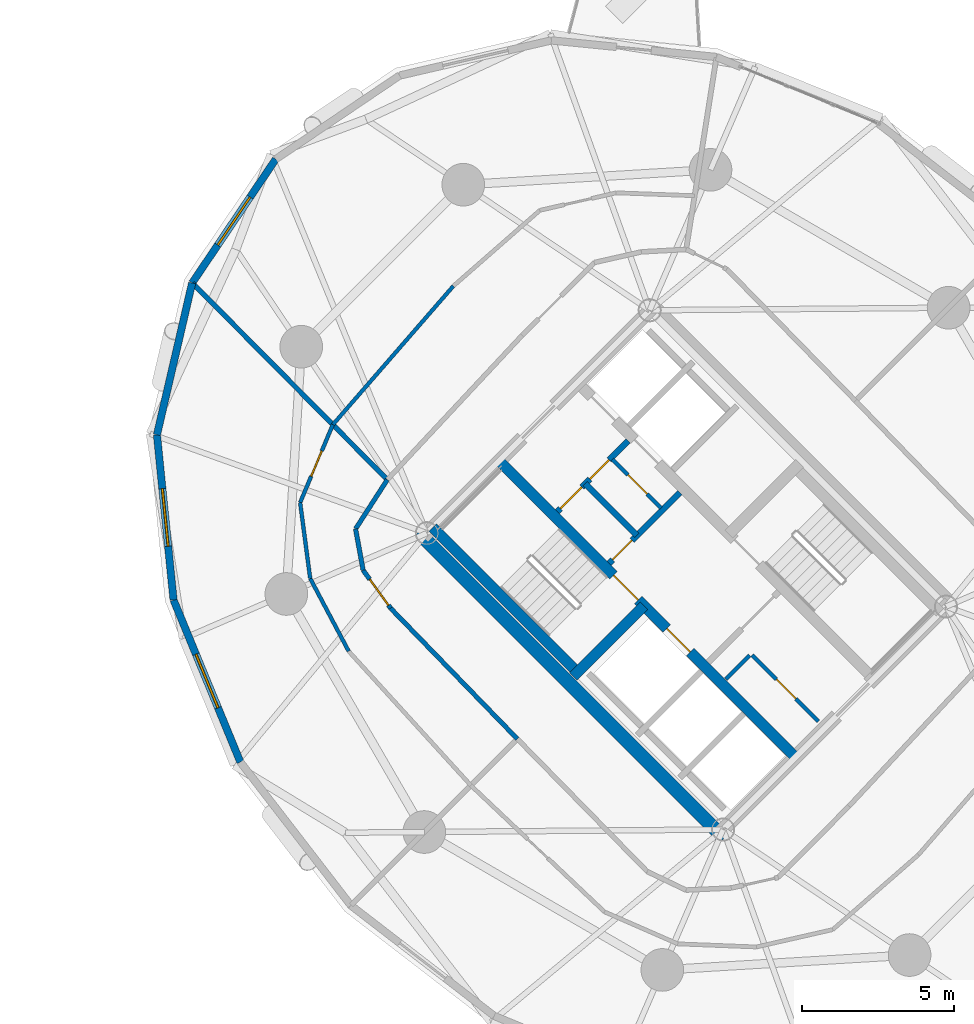
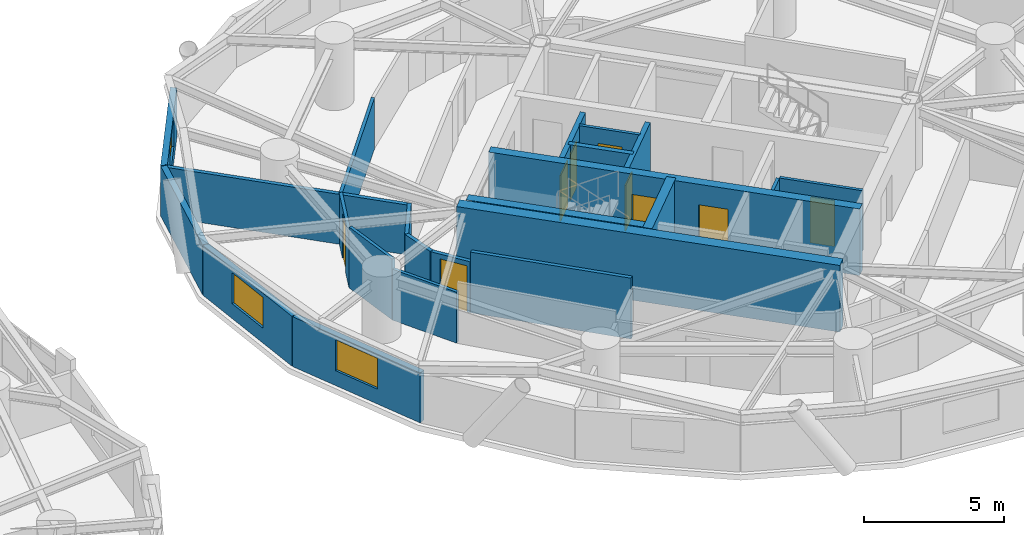
# One storey, part 12 of 18: 23 walls, 9 doors, 3 windows, 12 openings.
"""IFC4 building model written with IfcOpenShell, lengths in metres."""

from ifc_helpers import new_model, si_unit, direction, frame, frame_2d, origin, place, context, subcontext, project, spatial, rectangle, extrude, source, transform, mapped, material, layer, layer_set, type_object, element, fill, save


model = new_model("IFC4")

# Units and contexts
model_context = context("Model", 3, precision=1e-05, world=origin(), true_north=direction((0.0, 1.0)))
body_context = subcontext(model_context, "Body", "Model", "MODEL_VIEW")
ifc_project = project(units=[si_unit("LENGTHUNIT", "METRE"), si_unit("AREAUNIT", "SQUARE_METRE"), si_unit("VOLUMEUNIT", "CUBIC_METRE"), si_unit("PLANEANGLEUNIT", "RADIAN"), si_unit("MASSUNIT", "GRAM", prefix="KILO")], contexts=[model_context])

# Site, building, storey
site_placement = place(None, origin())
site = spatial("IfcSite", under=ifc_project, at=site_placement, CompositionType="ELEMENT")
building_placement = place(site_placement, origin())
building = spatial("IfcBuilding", under=site, at=building_placement, Name="Cununo Teusaquillo Station Towers", CompositionType="ELEMENT")
storey_placement = place(building_placement, frame((0.0, 0.0, 87.610107421875)))
storey = spatial("IfcBuildingStorey", under=building, at=storey_placement, Name="L27", CompositionType="ELEMENT", Elevation=87.610107421875)

# Wall, openings, doors
ifc_material_1 = material(Name="Concrete C50/60", Category="concrete")
ifc_layer_1 = layer(ifc_material_1, 0.35009765625)
ifc_layer_set_1 = layer_set([ifc_layer_1], Name="Concrete C50/60")
wall_type_1 = type_object("IfcWallType", Name="WL-CORE-350", PredefinedType="SHEAR", material=ifc_layer_set_1)
wall_1_placement = place(storey_placement, frame((61.077880859375, 18.355224609375, 0.0), z_axis=(0.0, 0.0, 1.0), x_axis=(-0.707106781187, 0.707106781187, 0.0)))
wall_1 = element("IfcWall", 1, at=wall_1_placement, inside=storey, type_object=wall_type_1, Name="L27 Tower B Core Shear Wall IW", PredefinedType="SHEAR", context=body_context, shape_type="SweptSolid", body=[
    extrude(rectangle(XDim=13.75, YDim=0.35009765625, at=frame_2d((6.875, 0.0))), origin(), (0.0, 0.0, 1.0), 2.909912109375),
])
shared_shape_1 = source(origin(), body_context, "Body", "SweptSolid", [
    extrude(rectangle(XDim=1.10009765625, YDim=2.014892578125, at=frame_2d((0.550048828125, 1.00732421875))), frame((0.0, 0.18505859375, 0.0), z_axis=(0.0, -1.0, 0.0), x_axis=(1.0, 0.0, 0.0)), (0.0, 0.0, 1.0), 0.3701171875),
])
opening_1_placement = place(wall_1_placement, frame((4.875, 0.0, 0.0)))
opening_1 = element("IfcOpeningElement", 2, at=opening_1_placement, cuts=wall_1, Name="Opening LD-01", PredefinedType="OPENING", context=body_context, shape_type="MappedRepresentation", body=[
    mapped(shared_shape_1, transform((0.0, 0.0, 0.0), x_axis=(1.0, 0.0, 0.0), y_axis=(0.0, 1.0, 0.0), z_axis=(0.0, 0.0, 1.0), scale=1.0)),
])
shared_shape_2 = source(origin(), body_context, "Body", "SweptSolid", [
    extrude(rectangle(XDim=1.14990234375, YDim=2.02001953125, at=frame_2d((0.574951171875, 1.010009765625))), frame((0.0, 0.18505859375, 0.0), z_axis=(0.0, -1.0, 0.0), x_axis=(1.0, 0.0, 0.0)), (0.0, 0.0, 1.0), 0.3701171875),
])
opening_2_placement = place(wall_1_placement, frame((7.294921875, 0.0, 0.0)))
opening_2 = element("IfcOpeningElement", 3, at=opening_2_placement, cuts=wall_1, Name="Opening D-ST1", PredefinedType="OPENING", context=body_context, shape_type="MappedRepresentation", body=[
    mapped(shared_shape_2, transform((0.0, 0.0, 0.0), x_axis=(1.0, 0.0, 0.0), y_axis=(0.0, 1.0, 0.0), z_axis=(0.0, 0.0, 1.0), scale=1.0)),
])
ifc_material_2 = material(Name="Galvanised fire-rated hollow steel door assembly", Category="steel")
door_type_1 = type_object("IfcDoorType", Name="DR-LIFT-1100", OperationType="SLIDING_TO_LEFT", PredefinedType="DOOR", material=ifc_material_2)
shared_shape_3 = source(origin(), body_context, "Body", "SweptSolid", [
    extrude(rectangle(XDim=1.10009765625, YDim=2.014892578125, at=frame_2d((0.550048828125, 1.00732421875))), frame((0.0, 0.02490234375, 0.0), z_axis=(0.0, -1.0, 0.0), x_axis=(1.0, 0.0, 0.0)), (0.0, 0.0, 1.0), 0.050048828125),
])
door_1_placement = place(opening_1_placement, origin())
door_1 = element("IfcDoor", 4, at=door_1_placement, inside=storey, type_object=door_type_1, Name="L27 Lift FL-T2 Sliding Landing Door", OperationType="SLIDING_TO_LEFT", OverallHeight=2.014892578125, OverallWidth=1.10009765625, PredefinedType="DOOR", context=body_context, shape_type="MappedRepresentation", body=[
    mapped(shared_shape_3, transform((0.0, 0.0, 0.0), x_axis=(1.0, 0.0, 0.0), y_axis=(0.0, 1.0, 0.0), z_axis=(0.0, 0.0, 1.0), scale=1.0)),
])
fill(opening_1, door_1)
ifc_material_3 = material(Name="Galvanised fire-rated hollow steel door assembly", Category="steel")
door_type_2 = type_object("IfcDoorType", Name="DR-STAIR-1150", OperationType="NOTDEFINED", PredefinedType="DOOR", material=ifc_material_3)
shared_shape_4 = source(origin(), body_context, "Body", "SweptSolid", [
    extrude(rectangle(XDim=1.14990234375, YDim=2.02001953125, at=frame_2d((0.574951171875, 1.010009765625))), frame((0.0, 0.02490234375, 0.0), z_axis=(0.0, -1.0, 0.0), x_axis=(1.0, 0.0, 0.0)), (0.0, 0.0, 1.0), 0.050048828125),
])
door_2_placement = place(opening_2_placement, origin())
door_2 = element("IfcDoor", 5, at=door_2_placement, inside=storey, type_object=door_type_2, Name="L27 Tower B Exit Stair 1 Fire Door", OperationType="SINGLE_SWING_LEFT", OverallHeight=2.02001953125, OverallWidth=1.14990234375, PredefinedType="DOOR", context=body_context, shape_type="MappedRepresentation", body=[
    mapped(shared_shape_4, transform((0.0, 0.0, 0.0), x_axis=(1.0, 0.0, 0.0), y_axis=(0.0, 1.0, 0.0), z_axis=(0.0, 0.0, 1.0), scale=1.0)),
])
fill(opening_2, door_2)

# Walls
wall_2_placement = place(storey_placement, frame((53.922119140625, 21.14111328125, 0.0), z_axis=(0.0, 0.0, 1.0), x_axis=(-0.707088616009, 0.707124945897, 0.0)))
element("IfcWall", 6, at=wall_2_placement, inside=storey, type_object=wall_type_1, Name="L27 Tower B Core Shear Wall ST1W", PredefinedType="SHEAR", context=body_context, shape_type="SweptSolid", body=[
    extrude(rectangle(XDim=6.72021484375, YDim=0.35009765625, at=frame_2d((3.360107421875, 0.0))), origin(), (0.0, 0.0, 1.0), 2.909912109375),
])
wall_3_placement = place(storey_placement, frame((53.7841796875, 21.00341796875, 0.0), z_axis=(0.0, 0.0, 1.0), x_axis=(0.707106781187, 0.707106781187, 0.0)))
element("IfcWall", 7, at=wall_3_placement, inside=storey, type_object=wall_type_1, Name="L27 Tower B Core Shear Wall ST1S", PredefinedType="SHEAR", context=body_context, shape_type="SweptSolid", body=[
    extrude(rectangle(XDim=3.284912109375, YDim=0.35009765625, at=frame_2d((1.642578125, 0.0))), origin(), (0.0, 0.0, 1.0), 2.909912109375),
])
ifc_material_4 = material(Name="Concrete C60/75", Category="concrete")
ifc_layer_2 = layer(ifc_material_4, 0.449951171875)
ifc_layer_set_2 = layer_set([ifc_layer_2], Name="Concrete C60/75")
wall_type_2 = type_object("IfcWallType", Name="WL-CORE-450", PredefinedType="SHEAR", material=ifc_layer_set_2)
wall_4_placement = place(storey_placement, frame((58.7373046875, 15.696533203125, 0.0), z_axis=(0.0, 0.0, 1.0), x_axis=(-0.707106781187, 0.707106781187, 0.0)))
element("IfcWall", 8, at=wall_4_placement, inside=storey, type_object=wall_type_2, Name="L27 Tower B Core Shear Wall W", PredefinedType="SHEAR", context=body_context, shape_type="SweptSolid", body=[
    extrude(rectangle(XDim=14.19970703125, YDim=0.449951171875, at=frame_2d((7.099853515625, 0.0))), origin(), (0.0, 0.0, 1.0), 2.909912109375),
])

# Wall, opening, window
ifc_material_5 = material(Name="Precast concrete C40/50", Category="concrete")
ifc_layer_3 = layer(ifc_material_5, 0.239990234375)
ifc_layer_set_3 = layer_set([ifc_layer_3], Name="Precast concrete C40/50")
wall_type_3 = type_object("IfcWallType", Name="WL-EXT-240", PredefinedType="SOLIDWALL", material=ifc_layer_set_3)
wall_5_placement = place(storey_placement, frame((41.27099609375, 33.919921875, 0.0), z_axis=(0.0, 0.0, 1.0), x_axis=(0.559572880421, 0.828781148131, 0.0)))
wall_5 = element("IfcWall", 9, at=wall_5_placement, inside=storey, type_object=wall_type_3, Name="L27 Tower B Exterior Facade Wall C05", PredefinedType="SOLIDWALL", context=body_context, shape_type="SweptSolid", body=[
    extrude(rectangle(XDim=4.904541015625, YDim=0.239990234375, at=frame_2d((2.4521484375, 0.0))), origin(), (0.0, 0.0, 1.0), 2.178955078125),
])
shared_shape_5 = source(origin(), body_context, "Body", "SweptSolid", [
    extrude(rectangle(XDim=1.89990234375, YDim=1.35009765625, at=frame_2d((0.949951171875, 0.675048828125))), frame((0.0, 0.1298828125, 0.0), z_axis=(0.0, -1.0, 0.0), x_axis=(1.0, 0.0, 0.0)), (0.0, 0.0, 1.0), 0.260009765625),
])
opening_3_placement = place(wall_5_placement, frame((1.501953125, 0.0, 0.64990234375)))
opening_3 = element("IfcOpeningElement", 10, at=opening_3_placement, cuts=wall_5, Name="Opening WN-02", PredefinedType="OPENING", context=body_context, shape_type="MappedRepresentation", body=[
    mapped(shared_shape_5, transform((0.0, 0.0, 0.0), x_axis=(1.0, 0.0, 0.0), y_axis=(0.0, 1.0, 0.0), z_axis=(0.0, 0.0, 1.0), scale=1.0)),
])
ifc_material_6 = material(Name="Operable acoustic tinted low-E double glazing", Category="glass")
window_type = type_object("IfcWindowType", Name="WIN-OPER-1900", PartitioningType="DOUBLE_PANEL_VERTICAL", PredefinedType="WINDOW", material=ifc_material_6)
shared_shape_6 = source(origin(), body_context, "Body", "SweptSolid", [
    extrude(rectangle(XDim=1.89990234375, YDim=1.35009765625, at=frame_2d((0.949951171875, 0.675048828125))), frame((0.0, 0.030029296875, 0.0), z_axis=(0.0, -1.0, 0.0), x_axis=(1.0, 0.0, 0.0)), (0.0, 0.0, 1.0), 0.06005859375),
])
window_1_placement = place(opening_3_placement, origin())
window_1 = element("IfcWindow", 11, at=window_1_placement, inside=storey, type_object=window_type, Name="L27 Tower B Facade Window C05", OverallHeight=1.35009765625, OverallWidth=1.89990234375, PartitioningType="DOUBLE_PANEL_VERTICAL", PredefinedType="WINDOW", context=body_context, shape_type="MappedRepresentation", body=[
    mapped(shared_shape_6, transform((0.0, 0.0, 0.0), x_axis=(1.0, 0.0, 0.0), y_axis=(0.0, 1.0, 0.0), z_axis=(0.0, 0.0, 1.0), scale=1.0)),
])
fill(opening_3, window_1)

# Wall
wall_6_placement = place(storey_placement, frame((40.114990234375, 28.933349609375, 0.0), z_axis=(0.0, 0.0, 1.0), x_axis=(0.225834725257, 0.974165631126, 0.0)))
element("IfcWall", 12, at=wall_6_placement, inside=storey, type_object=wall_type_3, Name="L27 Tower B Exterior Facade Wall C06", PredefinedType="SOLIDWALL", context=body_context, shape_type="SweptSolid", body=[
    extrude(rectangle(XDim=5.118896484375, YDim=0.239990234375, at=frame_2d((2.5595703125, 0.0))), origin(), (0.0, 0.0, 1.0), 2.178955078125),
])

# Wall, opening, window
wall_7_placement = place(storey_placement, frame((40.66064453125, 23.5126953125, 0.0), z_axis=(0.0, 0.0, 1.0), x_axis=(-0.10015591906, 0.994971754311, 0.0)))
wall_7 = element("IfcWall", 13, at=wall_7_placement, inside=storey, type_object=wall_type_3, Name="L27 Tower B Exterior Facade Wall C07", PredefinedType="SOLIDWALL", context=body_context, shape_type="SweptSolid", body=[
    extrude(rectangle(XDim=5.447998046875, YDim=0.239990234375, at=frame_2d((2.72412109375, 0.0))), origin(), (0.0, 0.0, 1.0), 2.178955078125),
])
opening_4_placement = place(wall_7_placement, frame((1.77392578125, 0.0, 0.64990234375)))
opening_4 = element("IfcOpeningElement", 14, at=opening_4_placement, cuts=wall_7, Name="Opening WN-02", PredefinedType="OPENING", context=body_context, shape_type="MappedRepresentation", body=[
    mapped(shared_shape_5, transform((0.0, 0.0, 0.0), x_axis=(1.0, 0.0, 0.0), y_axis=(0.0, 1.0, 0.0), z_axis=(0.0, 0.0, 1.0), scale=1.0)),
])
window_2_placement = place(opening_4_placement, origin())
window_2 = element("IfcWindow", 15, at=window_2_placement, inside=storey, type_object=window_type, Name="L27 Tower B Facade Window C07", OverallHeight=1.35009765625, OverallWidth=1.89990234375, PartitioningType="DOUBLE_PANEL_VERTICAL", PredefinedType="WINDOW", context=body_context, shape_type="MappedRepresentation", body=[
    mapped(shared_shape_6, transform((0.0, 0.0, 0.0), x_axis=(1.0, 0.0, 0.0), y_axis=(0.0, 1.0, 0.0), z_axis=(0.0, 0.0, 1.0), scale=1.0)),
])
fill(opening_4, window_2)

wall_8_placement = place(storey_placement, frame((42.854736328125, 18.188720703125, 0.0), z_axis=(0.0, 0.0, 1.0), x_axis=(-0.381027003055, 0.924563909604, 0.0)))
wall_8 = element("IfcWall", 16, at=wall_8_placement, inside=storey, type_object=wall_type_3, Name="L27 Tower B Exterior Facade Wall C08", PredefinedType="SOLIDWALL", context=body_context, shape_type="SweptSolid", body=[
    extrude(rectangle(XDim=5.75830078125, YDim=0.239990234375, at=frame_2d((2.879150390625, 0.0))), origin(), (0.0, 0.0, 1.0), 2.178955078125),
])
opening_5_placement = place(wall_8_placement, frame((1.928955078125, 0.0, 0.64990234375)))
opening_5 = element("IfcOpeningElement", 17, at=opening_5_placement, cuts=wall_8, Name="Opening WN-02", PredefinedType="OPENING", context=body_context, shape_type="MappedRepresentation", body=[
    mapped(shared_shape_5, transform((0.0, 0.0, 0.0), x_axis=(1.0, 0.0, 0.0), y_axis=(0.0, 1.0, 0.0), z_axis=(0.0, 0.0, 1.0), scale=1.0)),
])
window_3_placement = place(opening_5_placement, origin())
window_3 = element("IfcWindow", 18, at=window_3_placement, inside=storey, type_object=window_type, Name="L27 Tower B Facade Window C08", OverallHeight=1.35009765625, OverallWidth=1.89990234375, PartitioningType="DOUBLE_PANEL_VERTICAL", PredefinedType="WINDOW", context=body_context, shape_type="MappedRepresentation", body=[
    mapped(shared_shape_6, transform((0.0, 0.0, 0.0), x_axis=(1.0, 0.0, 0.0), y_axis=(0.0, 1.0, 0.0), z_axis=(0.0, 0.0, 1.0), scale=1.0)),
])
fill(opening_5, window_3)

# Wall, opening, door
ifc_material_7 = material(Name="Fire-rated gypsum plasterboard partition assembly", Category="gypsum")
ifc_layer_4 = layer(ifc_material_7, 0.125)
ifc_layer_set_4 = layer_set([ifc_layer_4], Name="Fire-rated gypsum plasterboard partition assembly")
wall_type_4 = type_object("IfcWallType", Name="WL-PART-125", PredefinedType="PARTITIONING", material=ifc_layer_set_4)
wall_9_placement = place(storey_placement, frame((61.834716796875, 19.529052734375, 0.0), z_axis=(0.0, 0.0, 1.0), x_axis=(-0.707146413884, 0.707067146267, 0.0)))
wall_9 = element("IfcWall", 19, at=wall_9_placement, inside=storey, type_object=wall_type_4, Name="L27 Tower B South-West Tall Store East Wall", PredefinedType="PARTITIONING", context=body_context, shape_type="SweptSolid", body=[
    extrude(rectangle(XDim=3.079833984375, YDim=0.125, at=frame_2d((1.5400390625, 0.0))), origin(), (0.0, 0.0, 1.0), 2.65478515625),
])
shared_shape_7 = source(origin(), body_context, "Body", "SweptSolid", [
    extrude(rectangle(XDim=0.89990234375, YDim=2.0048828125, at=frame_2d((0.449951171875, 1.00244140625))), frame((0.0, 0.072509765625, 0.0), z_axis=(0.0, -1.0, 0.0), x_axis=(1.0, 0.0, 0.0)), (0.0, 0.0, 1.0), 0.14501953125),
])
opening_6_placement = place(wall_9_placement, frame((1.050048828125, 0.0, 0.0)))
opening_6 = element("IfcOpeningElement", 20, at=opening_6_placement, cuts=wall_9, Name="Opening D-SR1", PredefinedType="OPENING", context=body_context, shape_type="MappedRepresentation", body=[
    mapped(shared_shape_7, transform((0.0, 0.0, 0.0), x_axis=(1.0, 0.0, 0.0), y_axis=(0.0, 1.0, 0.0), z_axis=(0.0, 0.0, 1.0), scale=1.0)),
])
ifc_material_8 = material(Name="Galvanised fire-rated hollow steel door assembly", Category="steel")
door_type_3 = type_object("IfcDoorType", Name="DR-STORE-900", OperationType="NOTDEFINED", PredefinedType="DOOR", material=ifc_material_8)
shared_shape_8 = source(origin(), body_context, "Body", "SweptSolid", [
    extrude(rectangle(XDim=0.89990234375, YDim=2.0048828125, at=frame_2d((0.449951171875, 1.00244140625))), frame((0.0, 0.02490234375, 0.0), z_axis=(0.0, -1.0, 0.0), x_axis=(1.0, 0.0, 0.0)), (0.0, 0.0, 1.0), 0.050048828125),
])
door_3_placement = place(opening_6_placement, origin())
door_3 = element("IfcDoor", 21, at=door_3_placement, inside=storey, type_object=door_type_3, Name="L27 Tower B South Cleaners Store Door", OperationType="SINGLE_SWING_LEFT", OverallHeight=2.0048828125, OverallWidth=0.89990234375, PredefinedType="DOOR", context=body_context, shape_type="MappedRepresentation", body=[
    mapped(shared_shape_8, transform((0.0, 0.0, 0.0), x_axis=(1.0, 0.0, 0.0), y_axis=(0.0, 1.0, 0.0), z_axis=(0.0, 0.0, 1.0), scale=1.0)),
])
fill(opening_6, door_3)

# Wall
wall_10_placement = place(storey_placement, frame((58.7939453125, 20.9150390625, 0.0), z_axis=(0.0, 0.0, 1.0), x_axis=(0.707106781187, 0.707106781187, 0.0)))
element("IfcWall", 22, at=wall_10_placement, inside=storey, type_object=wall_type_4, Name="L27 Tower B South-West Tall Store North Wall", PredefinedType="PARTITIONING", context=body_context, shape_type="SweptSolid", body=[
    extrude(rectangle(XDim=1.10009765625, YDim=0.125, at=frame_2d((0.550048828125, 0.0))), origin(), (0.0, 0.0, 1.0), 2.65478515625),
])

# Wall, opening, door
wall_11_placement = place(storey_placement, frame((56.672607421875, 26.529296875, 0.0), z_axis=(0.0, 0.0, 1.0), x_axis=(-0.707052764397, 0.70716079385, 0.0)))
wall_11 = element("IfcWall", 23, at=wall_11_placement, inside=storey, type_object=wall_type_4, Name="L27 Tower B Core Vertical Split Wall", PredefinedType="PARTITIONING", context=body_context, shape_type="SweptSolid", body=[
    extrude(rectangle(XDim=2.260009765625, YDim=0.125, at=frame_2d((1.1298828125, 0.0))), origin(), (0.0, 0.0, 1.0), 2.65478515625),
])
opening_7_placement = place(wall_11_placement, frame((0.64990234375, 0.0, 0.0)))
opening_7 = element("IfcOpeningElement", 24, at=opening_7_placement, cuts=wall_11, Name="Opening D-SR1", PredefinedType="OPENING", context=body_context, shape_type="MappedRepresentation", body=[
    mapped(shared_shape_7, transform((0.0, 0.0, 0.0), x_axis=(1.0, 0.0, 0.0), y_axis=(0.0, 1.0, 0.0), z_axis=(0.0, 0.0, 1.0), scale=1.0)),
])
door_4_placement = place(opening_7_placement, origin())
door_4 = element("IfcDoor", 25, at=door_4_placement, inside=storey, type_object=door_type_3, Name="L27 Tower B Core Electrical Room Door", OperationType="SINGLE_SWING_LEFT", OverallHeight=2.0048828125, OverallWidth=0.89990234375, PredefinedType="DOOR", context=body_context, shape_type="MappedRepresentation", body=[
    mapped(shared_shape_8, transform((0.0, 0.0, 0.0), x_axis=(1.0, 0.0, 0.0), y_axis=(0.0, 1.0, 0.0), z_axis=(0.0, 0.0, 1.0), scale=1.0)),
])
fill(opening_7, door_4)

# Wall
wall_12_placement = place(storey_placement, frame((49.845458984375, 33.817138671875, 0.0), z_axis=(0.0, 0.0, 1.0), x_axis=(-0.656101508867, -0.754672650931, 0.0)))
element("IfcWall", 26, at=wall_12_placement, inside=storey, type_object=wall_type_4, Name="L27 Tower B Parametric Prototyping Lab Concentric Partition Wall C05", PredefinedType="PARTITIONING", context=body_context, shape_type="SweptSolid", body=[
    extrude(rectangle(XDim=6.028564453125, YDim=0.125, at=frame_2d((3.01416015625, 0.0))), origin(), (0.0, 0.0, 1.0), 2.224853515625),
])

# Wall, opening, door
wall_13_placement = place(storey_placement, frame((45.89013671875, 29.267578125, 0.0), z_axis=(0.0, 0.0, 1.0), x_axis=(-0.387057419757, -0.922055613188, 0.0)))
wall_13 = element("IfcWall", 27, at=wall_13_placement, inside=storey, type_object=wall_type_4, Name="L27 Tower B Client Demo Briefing Gallery Concentric Partition Wall C06", PredefinedType="PARTITIONING", context=body_context, shape_type="SweptSolid", body=[
    extrude(rectangle(XDim=2.774169921875, YDim=0.125, at=frame_2d((1.38720703125, 0.0))), origin(), (0.0, 0.0, 1.0), 2.224853515625),
])
opening_8_placement = place(wall_13_placement, frame((0.93701171875, 0.0, 0.0)))
opening_8 = element("IfcOpeningElement", 28, at=opening_8_placement, cuts=wall_13, Name="Opening D-IN1", PredefinedType="OPENING", context=body_context, shape_type="MappedRepresentation", body=[
    mapped(shared_shape_7, transform((0.0, 0.0, 0.0), x_axis=(1.0, 0.0, 0.0), y_axis=(0.0, 1.0, 0.0), z_axis=(0.0, 0.0, 1.0), scale=1.0)),
])
ifc_material_9 = material(Name="Acoustic solid-core hardwood leaf assembly", Category="wood")
door_type_4 = type_object("IfcDoorType", Name="DR-INT-900", OperationType="NOTDEFINED", PredefinedType="DOOR", material=ifc_material_9)
door_5_placement = place(opening_8_placement, origin())
door_5 = element("IfcDoor", 29, at=door_5_placement, inside=storey, type_object=door_type_4, Name="L27 Tower B Client Demo Briefing Gallery Connecting Door", OperationType="SINGLE_SWING_LEFT", OverallHeight=2.0048828125, OverallWidth=0.89990234375, PredefinedType="DOOR", context=body_context, shape_type="MappedRepresentation", body=[
    mapped(shared_shape_8, transform((0.0, 0.0, 0.0), x_axis=(1.0, 0.0, 0.0), y_axis=(0.0, 1.0, 0.0), z_axis=(0.0, 0.0, 1.0), scale=1.0)),
])
fill(opening_8, door_5)

# Walls
wall_14_placement = place(storey_placement, frame((44.81640625, 26.709716796875, 0.0), z_axis=(0.0, 0.0, 1.0), x_axis=(0.131724981355, -0.991286300363, 0.0)))
element("IfcWall", 30, at=wall_14_placement, inside=storey, type_object=wall_type_4, Name="L27 Tower B Client Demo Briefing Gallery Concentric Partition Wall C07", PredefinedType="PARTITIONING", context=body_context, shape_type="SweptSolid", body=[
    extrude(rectangle(XDim=2.51513671875, YDim=0.125, at=frame_2d((1.257568359375, 0.0))), origin(), (0.0, 0.0, 1.0), 2.65478515625),
])
wall_15_placement = place(storey_placement, frame((45.147705078125, 24.216552734375, 0.0), z_axis=(0.0, 0.0, 1.0), x_axis=(0.46760107134, -0.883939612237, 0.0)))
element("IfcWall", 31, at=wall_15_placement, inside=storey, type_object=wall_type_4, Name="L27 Tower B Client Demo Briefing Gallery Concentric Partition Wall C08", PredefinedType="PARTITIONING", context=body_context, shape_type="SweptSolid", body=[
    extrude(rectangle(XDim=2.700439453125, YDim=0.125, at=frame_2d((1.35009765625, 0.0))), origin(), (0.0, 0.0, 1.0), 2.224853515625),
])
ifc_material_10 = material(Name="Fire-rated gypsum plasterboard partition assembly", Category="gypsum")
ifc_layer_5 = layer(ifc_material_10, 0.14990234375)
ifc_layer_set_5 = layer_set([ifc_layer_5], Name="Fire-rated gypsum plasterboard partition assembly")
wall_type_5 = type_object("IfcWallType", Name="WL-PART-150", PredefinedType="PARTITIONING", material=ifc_layer_set_5)
wall_16_placement = place(storey_placement, frame((47.6796875, 27.462158203125, 0.0), z_axis=(0.0, 0.0, 1.0), x_axis=(-0.542097952486, -0.840315303865, 0.0)))
element("IfcWall", 32, at=wall_16_placement, inside=storey, type_object=wall_type_5, Name="L27 Tower B Corridor Ring Wall C06", PredefinedType="PARTITIONING", context=body_context, shape_type="SweptSolid", body=[
    extrude(rectangle(XDim=1.923095703125, YDim=0.14990234375, at=frame_2d((0.96142578125, 0.0))), origin(), (0.0, 0.0, 1.0), 2.224853515625),
])
wall_17_placement = place(storey_placement, frame((46.63720703125, 25.84619140625, 0.0), z_axis=(0.0, 0.0, 1.0), x_axis=(0.179617307107, -0.983736561782, 0.0)))
element("IfcWall", 33, at=wall_17_placement, inside=storey, type_object=wall_type_5, Name="L27 Tower B Corridor Ring Wall C07", PredefinedType="PARTITIONING", context=body_context, shape_type="SweptSolid", body=[
    extrude(rectangle(XDim=1.379638671875, YDim=0.14990234375, at=frame_2d((0.68994140625, 0.0))), origin(), (0.0, 0.0, 1.0), 2.224853515625),
])

# Wall, opening, door
wall_18_placement = place(storey_placement, frame((46.885009765625, 24.489013671875, 0.0), z_axis=(0.0, 0.0, 1.0), x_axis=(0.585716430945, -0.810516047047, 0.0)))
wall_18 = element("IfcWall", 34, at=wall_18_placement, inside=storey, type_object=wall_type_5, Name="L27 Tower B Corridor Ring Wall C08", PredefinedType="PARTITIONING", context=body_context, shape_type="SweptSolid", body=[
    extrude(rectangle(XDim=1.538818359375, YDim=0.14990234375, at=frame_2d((0.76953125, 0.0))), origin(), (0.0, 0.0, 1.0), 2.224853515625),
])
shared_shape_9 = source(origin(), body_context, "Body", "SweptSolid", [
    extrude(rectangle(XDim=1.050048828125, YDim=2.014892578125, at=frame_2d((0.52490234375, 1.00732421875))), frame((0.0, 0.0849609375, 0.0), z_axis=(0.0, -1.0, 0.0), x_axis=(1.0, 0.0, 0.0)), (0.0, 0.0, 1.0), 0.169921875),
])
opening_9_placement = place(wall_18_placement, frame((0.36865234375, 0.0, 0.0)))
opening_9 = element("IfcOpeningElement", 35, at=opening_9_placement, cuts=wall_18, Name="Opening D-SU1", PredefinedType="OPENING", context=body_context, shape_type="MappedRepresentation", body=[
    mapped(shared_shape_9, transform((0.0, 0.0, 0.0), x_axis=(1.0, 0.0, 0.0), y_axis=(0.0, 1.0, 0.0), z_axis=(0.0, 0.0, 1.0), scale=1.0)),
])
ifc_material_11 = material(Name="Acoustic solid-core hardwood leaf assembly", Category="wood")
door_type_5 = type_object("IfcDoorType", Name="DR-SUITE-1050", OperationType="NOTDEFINED", PredefinedType="DOOR", material=ifc_material_11)
shared_shape_10 = source(origin(), body_context, "Body", "SweptSolid", [
    extrude(rectangle(XDim=1.050048828125, YDim=2.014892578125, at=frame_2d((0.52490234375, 1.00732421875))), frame((0.0, 0.02490234375, 0.0), z_axis=(0.0, -1.0, 0.0), x_axis=(1.0, 0.0, 0.0)), (0.0, 0.0, 1.0), 0.050048828125),
])
door_6_placement = place(opening_9_placement, origin())
door_6 = element("IfcDoor", 36, at=door_6_placement, inside=storey, type_object=door_type_5, Name="L27 Tower B Client Demo Briefing Gallery Entrance Door", OperationType="SINGLE_SWING_RIGHT", OverallHeight=2.014892578125, OverallWidth=1.050048828125, PredefinedType="DOOR", context=body_context, shape_type="MappedRepresentation", body=[
    mapped(shared_shape_10, transform((0.0, 0.0, 0.0), x_axis=(1.0, 0.0, 0.0), y_axis=(0.0, 1.0, 0.0), z_axis=(0.0, 0.0, 1.0), scale=1.0)),
])
fill(opening_9, door_6)

# Walls
wall_19_placement = place(storey_placement, frame((47.786376953125, 23.24169921875, 0.0), z_axis=(0.0, 0.0, 1.0), x_axis=(0.696183456981, -0.717863910659, 0.0)))
element("IfcWall", 37, at=wall_19_placement, inside=storey, type_object=wall_type_5, Name="L27 Tower B Corridor Ring Wall C09", PredefinedType="PARTITIONING", context=body_context, shape_type="SweptSolid", body=[
    extrude(rectangle(XDim=5.9794921875, YDim=0.14990234375, at=frame_2d((2.98974609375, 0.0))), origin(), (0.0, 0.0, 1.0), 2.65478515625),
])
ifc_material_12 = material(Name="Fire-rated gypsum plasterboard partition assembly", Category="gypsum")
ifc_layer_6 = layer(ifc_material_12, 0.159912109375)
ifc_layer_set_6 = layer_set([ifc_layer_6], Name="Fire-rated gypsum plasterboard partition assembly")
wall_type_6 = type_object("IfcWallType", Name="WL-PART-160", PredefinedType="PARTITIONING", material=ifc_layer_set_6)
wall_20_placement = place(storey_placement, frame((47.6796875, 27.462158203125, 0.0), z_axis=(0.0, 0.0, 1.0), x_axis=(-0.703913074907, 0.710286127539, 0.0)))
element("IfcWall", 38, at=wall_20_placement, inside=storey, type_object=wall_type_6, Name="L27 Tower B Radial Suite Partition R03", PredefinedType="PARTITIONING", context=body_context, shape_type="SweptSolid", body=[
    extrude(rectangle(XDim=9.0791015625, YDim=0.159912109375, at=frame_2d((4.53955078125, 0.0))), origin(), (0.0, 0.0, 1.0), 2.178955078125),
])

# Wall, opening, door
ifc_material_13 = material(Name="Fire-rated gypsum plasterboard partition assembly", Category="gypsum")
ifc_layer_7 = layer(ifc_material_13, 0.199951171875)
ifc_layer_set_7 = layer_set([ifc_layer_7], Name="Fire-rated gypsum plasterboard partition assembly")
wall_type_7 = type_object("IfcWallType", Name="WL-PART-200", PredefinedType="PARTITIONING", material=ifc_layer_set_7)
wall_21_placement = place(storey_placement, frame((54.96142578125, 24.71923828125, 0.0), z_axis=(0.0, 0.0, 1.0), x_axis=(0.707106781187, 0.707106781187, 0.0)))
wall_21 = element("IfcWall", 39, at=wall_21_placement, inside=storey, type_object=wall_type_7, Name="L27 Tower B Firefighting Lift Lobby North Fire Wall", PredefinedType="PARTITIONING", context=body_context, shape_type="SweptSolid", body=[
    extrude(rectangle(XDim=3.280029296875, YDim=0.199951171875, at=frame_2d((1.64013671875, 0.0))), origin(), (0.0, 0.0, 1.0), 2.65478515625),
])
shared_shape_11 = source(origin(), body_context, "Body", "SweptSolid", [
    extrude(rectangle(XDim=0.89990234375, YDim=2.0048828125, at=frame_2d((0.449951171875, 1.00244140625))), frame((0.0, 0.10986328125, 0.0), z_axis=(0.0, -1.0, 0.0), x_axis=(1.0, 0.0, 0.0)), (0.0, 0.0, 1.0), 0.219970703125),
])
opening_10_placement = place(wall_21_placement, frame((0.159912109375, 0.0, 0.0)))
opening_10 = element("IfcOpeningElement", 40, at=opening_10_placement, cuts=wall_21, Name="Opening D-SR1", PredefinedType="OPENING", context=body_context, shape_type="MappedRepresentation", body=[
    mapped(shared_shape_11, transform((0.0, 0.0, 0.0), x_axis=(1.0, 0.0, 0.0), y_axis=(0.0, 1.0, 0.0), z_axis=(0.0, 0.0, 1.0), scale=1.0)),
])
door_7_placement = place(opening_10_placement, origin())
door_7 = element("IfcDoor", 41, at=door_7_placement, inside=storey, type_object=door_type_3, Name="L27 Tower B Stair 1 Protected Vestibule South Door", OperationType="SINGLE_SWING_LEFT", OverallHeight=2.0048828125, OverallWidth=0.89990234375, PredefinedType="DOOR", context=body_context, shape_type="MappedRepresentation", body=[
    mapped(shared_shape_8, transform((0.0, 0.0, 0.0), x_axis=(1.0, 0.0, 0.0), y_axis=(0.0, 1.0, 0.0), z_axis=(0.0, 0.0, 1.0), scale=1.0)),
])
fill(opening_10, door_7)

# Wall
wall_22_placement = place(storey_placement, frame((55.873779296875, 25.63134765625, 0.0), z_axis=(0.0, 0.0, 1.0), x_axis=(-0.707157639372, 0.707055919343, 0.0)))
element("IfcWall", 42, at=wall_22_placement, inside=storey, type_object=wall_type_7, Name="L27 Tower B Stair 1 Vestibule Partition Wall", PredefinedType="PARTITIONING", context=body_context, shape_type="SweptSolid", body=[
    extrude(rectangle(XDim=2.400146484375, YDim=0.199951171875, at=frame_2d((1.2001953125, 0.0))), origin(), (0.0, 0.0, 1.0), 2.65478515625),
])

# Wall, openings, doors
wall_23_placement = place(storey_placement, frame((53.264404296875, 26.416259765625, 0.0), z_axis=(0.0, 0.0, 1.0), x_axis=(0.707106781187, 0.707106781187, 0.0)))
wall_23 = element("IfcWall", 43, at=wall_23_placement, inside=storey, type_object=wall_type_7, Name="L27 Tower B North Lift Lobby South Fire Wall", PredefinedType="PARTITIONING", context=body_context, shape_type="SweptSolid", body=[
    extrude(rectangle(XDim=3.280029296875, YDim=0.199951171875, at=frame_2d((1.64013671875, 0.0))), origin(), (0.0, 0.0, 1.0), 2.65478515625),
])
shared_shape_12 = source(origin(), body_context, "Body", "SweptSolid", [
    extrude(rectangle(XDim=1.0, YDim=2.014892578125, at=frame_2d((0.5, 1.00732421875))), frame((0.0, 0.10986328125, 0.0), z_axis=(0.0, -1.0, 0.0), x_axis=(1.0, 0.0, 0.0)), (0.0, 0.0, 1.0), 0.219970703125),
])
opening_11_placement = place(wall_23_placement, frame((0.139892578125, 0.0, 0.0)))
opening_11 = element("IfcOpeningElement", 44, at=opening_11_placement, cuts=wall_23, Name="Opening D-AC1", PredefinedType="OPENING", context=body_context, shape_type="MappedRepresentation", body=[
    mapped(shared_shape_12, transform((0.0, 0.0, 0.0), x_axis=(1.0, 0.0, 0.0), y_axis=(0.0, 1.0, 0.0), z_axis=(0.0, 0.0, 1.0), scale=1.0)),
])
opening_12_placement = place(wall_23_placement, frame((1.5, 0.0, 0.0)))
opening_12 = element("IfcOpeningElement", 45, at=opening_12_placement, cuts=wall_23, Name="Opening D-SR1", PredefinedType="OPENING", context=body_context, shape_type="MappedRepresentation", body=[
    mapped(shared_shape_11, transform((0.0, 0.0, 0.0), x_axis=(1.0, 0.0, 0.0), y_axis=(0.0, 1.0, 0.0), z_axis=(0.0, 0.0, 1.0), scale=1.0)),
])
door_8_placement = place(opening_12_placement, origin())
door_8 = element("IfcDoor", 46, at=door_8_placement, inside=storey, type_object=door_type_3, Name="L27 Tower B Core Housekeeping Store Door", OperationType="SINGLE_SWING_RIGHT", OverallHeight=2.0048828125, OverallWidth=0.89990234375, PredefinedType="DOOR", context=body_context, shape_type="MappedRepresentation", body=[
    mapped(shared_shape_8, transform((0.0, 0.0, 0.0), x_axis=(1.0, 0.0, 0.0), y_axis=(0.0, 1.0, 0.0), z_axis=(0.0, 0.0, 1.0), scale=1.0)),
])
fill(opening_12, door_8)
ifc_material_14 = material(Name="Acoustic solid-core hardwood leaf assembly", Category="wood")
door_type_6 = type_object("IfcDoorType", Name="DR-ACC-1000", OperationType="NOTDEFINED", PredefinedType="DOOR", material=ifc_material_14)
shared_shape_13 = source(origin(), body_context, "Body", "SweptSolid", [
    extrude(rectangle(XDim=1.0, YDim=2.014892578125, at=frame_2d((0.5, 1.00732421875))), frame((0.0, 0.02490234375, 0.0), z_axis=(0.0, -1.0, 0.0), x_axis=(1.0, 0.0, 0.0)), (0.0, 0.0, 1.0), 0.050048828125),
])
door_9_placement = place(opening_11_placement, origin())
door_9 = element("IfcDoor", 47, at=door_9_placement, inside=storey, type_object=door_type_6, Name="L27 Tower B North Lift Lobby to Stair 1 Vestibule Door", OperationType="SINGLE_SWING_RIGHT", OverallHeight=2.014892578125, OverallWidth=1.0, PredefinedType="DOOR", context=body_context, shape_type="MappedRepresentation", body=[
    mapped(shared_shape_13, transform((0.0, 0.0, 0.0), x_axis=(1.0, 0.0, 0.0), y_axis=(0.0, 1.0, 0.0), z_axis=(0.0, 0.0, 1.0), scale=1.0)),
])
fill(opening_11, door_9)

save(model, "model.ifc")
